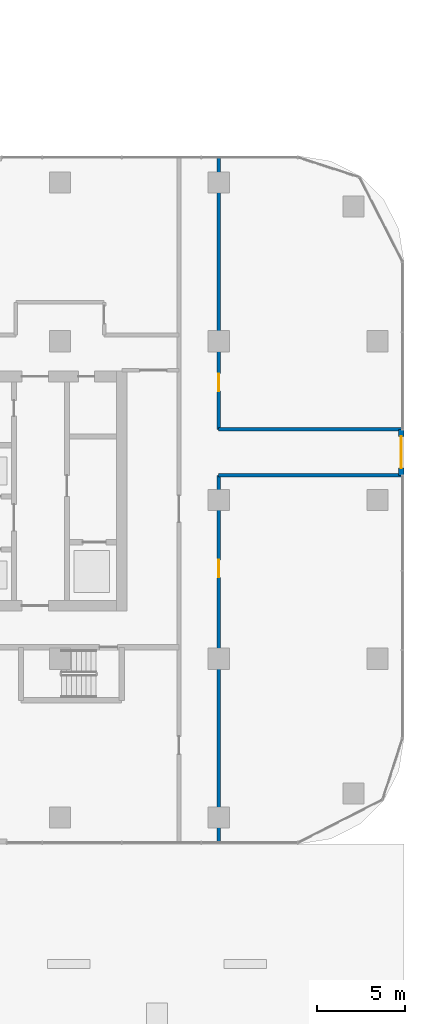
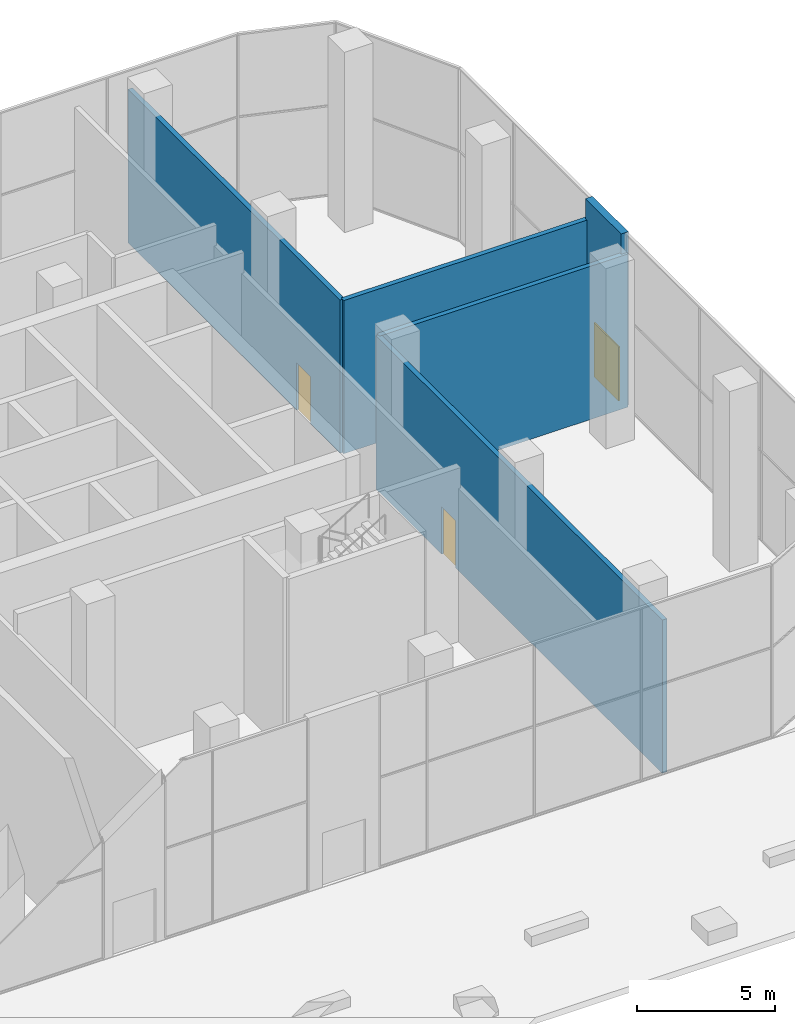
# One storey, part 36 of 54: 5 walls, 3 doors, 3 openings.
"""IFC4 building model written with IfcOpenShell, lengths in metres."""

from ifc_helpers import new_model, si_unit, direction, frame, frame_2d, origin, place, context, subcontext, project, spatial, rectangle, extrude, material, layer, layer_set, type_object, element, fill, save


model = new_model("IFC4")

# Units and contexts
model_context = context("Model", 3, precision=1e-05, world=origin(), true_north=direction((0.0, 1.0)))
body_context = subcontext(model_context, "Body", "Model", "MODEL_VIEW")
ifc_project = project(units=[si_unit("LENGTHUNIT", "METRE"), si_unit("AREAUNIT", "SQUARE_METRE"), si_unit("VOLUMEUNIT", "CUBIC_METRE"), si_unit("PLANEANGLEUNIT", "RADIAN"), si_unit("MASSUNIT", "GRAM", prefix="KILO")], contexts=[model_context])

# Site, building, storey
site_placement = place(None, origin())
site = spatial("IfcSite", under=ifc_project, at=site_placement, CompositionType="ELEMENT")
building_placement = place(site_placement, origin())
building = spatial("IfcBuilding", under=site, at=building_placement, Name="Ogive Portal Towers", CompositionType="ELEMENT")
storey_placement = place(building_placement, origin())
storey = spatial("IfcBuildingStorey", under=building, at=storey_placement, Name="L00", CompositionType="ELEMENT", Elevation=0.0)

# Wall, opening, door
ifc_material_1 = material(Name="Limestone cladding on lightweight block wall", Category="masonry")
ifc_layer_1 = layer(ifc_material_1, 0.300048828125)
ifc_layer_set_1 = layer_set([ifc_layer_1], Name="EXTERNAL WALL 300 STONE")
wall_type_1 = type_object("IfcWallType", Name="EXTERNAL WALL 300 STONE", PredefinedType="SOLIDWALL", material=ifc_layer_set_1)
wall_1_placement = place(storey_placement, frame((159.85009765625, 34.5, 0.0), z_axis=(0.0, 0.0, 1.0), x_axis=(0.0, -1.0, 0.0)))
wall_1 = element("IfcWall", 1, at=wall_1_placement, inside=storey, type_object=wall_type_1, Name="B:L00:f05:bay0", PredefinedType="SOLIDWALL", context=body_context, shape_type="SweptSolid", body=[
    extrude(rectangle(XDim=2.60009765625, YDim=0.300048828125, at=frame_2d((1.300048828125, 0.0))), origin(), (0.0, 0.0, 1.0), 7.699951171875),
])
opening_1_placement = place(wall_1_placement, frame((0.39990234375, 0.0, 0.0)))
opening_1 = element("IfcOpeningElement", 2, at=opening_1_placement, cuts=wall_1, Name="Opening DX019", PredefinedType="OPENING", context=body_context, shape_type="SweptSolid", body=[
    extrude(rectangle(XDim=1.800048828125, YDim=2.39990234375, at=frame_2d((0.89990234375, 1.199951171875))), frame((0.0, 0.16015625, 0.0), z_axis=(0.0, -1.0, 0.0), x_axis=(1.0, 0.0, 0.0)), (0.0, 0.0, 1.0), 0.320068359375),
])
ifc_material_2 = material(Name="Steel S355", Category="steel")
door_type_1 = type_object("IfcDoorType", Name="EXIT DOOR 1800x2400", OperationType="DOUBLE_DOOR_SINGLE_SWING", PredefinedType="DOOR", material=ifc_material_2)
door_1_placement = place(opening_1_placement, origin())
door_1 = element("IfcDoor", 3, at=door_1_placement, inside=storey, type_object=door_type_1, Name="B:L00:f05:bay0/o0", OperationType="SINGLE_SWING_LEFT", OverallHeight=2.39990234375, OverallWidth=1.800048828125, PredefinedType="DOOR", context=body_context, shape_type="SweptSolid", body=[
    extrude(rectangle(XDim=1.800048828125, YDim=2.39990234375, at=frame_2d((0.89990234375, 1.199951171875))), frame((0.0, 0.02490234375, 0.0), z_axis=(0.0, -1.0, 0.0), x_axis=(1.0, 0.0, 0.0)), (0.0, 0.0, 1.0), 0.050048828125),
])
fill(opening_1, door_1)

# Walls
ifc_material_3 = material(Name="Gypsum board partition on steel studs", Category="steel")
ifc_layer_2 = layer(ifc_material_3, 0.199951171875)
ifc_layer_set_2 = layer_set([ifc_layer_2], Name="WT-PART-200-EI 60")
wall_type_2 = type_object("IfcWallType", Name="WT-PART-200-EI 60", PredefinedType="PARTITIONING", material=ifc_layer_set_2)
for number, where, z_axis, x_axis, name in (
    (4, (149.5, 31.89990234375, 0.0), (0.0, 0.0, 1.0), (1.0, 0.0, 0.0), "Wall L00:w020"),
    (5, (149.5, 34.5, 0.0), (0.0, 0.0, 1.0), (1.0, 0.0, 0.0), "Wall L00:w023"),
):
    element("IfcWall", number, at=place(storey_placement, frame(where, z_axis=z_axis, x_axis=x_axis)), inside=storey, type_object=wall_type_2, Name=name, PredefinedType="PARTITIONING", context=body_context, shape_type="SweptSolid", body=[
        extrude(rectangle(XDim=10.429931640625, YDim=0.199951171875, at=frame_2d((5.21484375, 0.0))), origin(), (0.0, 0.0, 1.0), 6.800048828125),
    ])

# Wall, opening, door
wall_2_placement = place(storey_placement, frame((149.5, 11.070068359375, 0.0), z_axis=(0.0, 0.0, 1.0), x_axis=(0.0, 1.0, 0.0)))
wall_2 = element("IfcWall", 6, at=wall_2_placement, inside=storey, type_object=wall_type_2, Name="Wall L00:w070", PredefinedType="PARTITIONING", context=body_context, shape_type="SweptSolid", body=[
    extrude(rectangle(XDim=20.829833984375, YDim=0.199951171875, at=frame_2d((10.4150390625, 0.0))), origin(), (0.0, 0.0, 1.0), 6.800048828125),
])
opening_2_placement = place(wall_2_placement, frame((15.04296875, 0.0, 0.0)))
opening_2 = element("IfcOpeningElement", 7, at=opening_2_placement, cuts=wall_2, Name="Opening P00-039", PredefinedType="OPENING", context=body_context, shape_type="SweptSolid", body=[
    extrude(rectangle(XDim=1.0, YDim=2.10009765625, at=frame_2d((0.5, 1.050048828125))), frame((0.0, 0.10986328125, 0.0), z_axis=(0.0, -1.0, 0.0), x_axis=(1.0, 0.0, 0.0)), (0.0, 0.0, 1.0), 0.219970703125),
])
ifc_material_4 = material(Name="Steel fire door", Category="steel")
door_type_2 = type_object("IfcDoorType", Name="DT-SWING-1000x2100-FD60S", OperationType="SINGLE_SWING_LEFT", PredefinedType="DOOR", material=ifc_material_4)
door_2_placement = place(opening_2_placement, origin())
door_2 = element("IfcDoor", 8, at=door_2_placement, inside=storey, type_object=door_type_2, Name="Door P00-039", OperationType="SINGLE_SWING_LEFT", OverallHeight=2.10009765625, OverallWidth=1.0, PredefinedType="DOOR", context=body_context, shape_type="SweptSolid", body=[
    extrude(rectangle(XDim=1.0, YDim=2.10009765625, at=frame_2d((0.5, 1.050048828125))), frame((0.0, 0.02490234375, 0.0), z_axis=(0.0, -1.0, 0.0), x_axis=(1.0, 0.0, 0.0)), (0.0, 0.0, 1.0), 0.050048828125),
])
fill(opening_2, door_2)

wall_3_placement = place(storey_placement, frame((149.5, 34.5, 0.0), z_axis=(0.0, 0.0, 1.0), x_axis=(0.0, 1.0, 0.0)))
wall_3 = element("IfcWall", 9, at=wall_3_placement, inside=storey, type_object=wall_type_2, Name="Wall L00:w071", PredefinedType="PARTITIONING", context=body_context, shape_type="SweptSolid", body=[
    extrude(rectangle(XDim=15.429931640625, YDim=0.199951171875, at=frame_2d((7.71484375, 0.0))), origin(), (0.0, 0.0, 1.0), 6.800048828125),
])
opening_3_placement = place(wall_3_placement, frame((2.1630859375, 0.0, 0.0)))
opening_3 = element("IfcOpeningElement", 10, at=opening_3_placement, cuts=wall_3, Name="Opening P00-040", PredefinedType="OPENING", context=body_context, shape_type="SweptSolid", body=[
    extrude(rectangle(XDim=1.0, YDim=2.10009765625, at=frame_2d((0.5, 1.050048828125))), frame((0.0, 0.10986328125, 0.0), z_axis=(0.0, -1.0, 0.0), x_axis=(1.0, 0.0, 0.0)), (0.0, 0.0, 1.0), 0.219970703125),
])
door_3_placement = place(opening_3_placement, origin())
door_3 = element("IfcDoor", 11, at=door_3_placement, inside=storey, type_object=door_type_2, Name="Door P00-040", OperationType="SINGLE_SWING_RIGHT", OverallHeight=2.10009765625, OverallWidth=1.0, PredefinedType="DOOR", context=body_context, shape_type="SweptSolid", body=[
    extrude(rectangle(XDim=1.0, YDim=2.10009765625, at=frame_2d((0.5, 1.050048828125))), frame((0.0, 0.02490234375, 0.0), z_axis=(0.0, -1.0, 0.0), x_axis=(1.0, 0.0, 0.0)), (0.0, 0.0, 1.0), 0.050048828125),
])
fill(opening_3, door_3)

save(model, "model.ifc")
